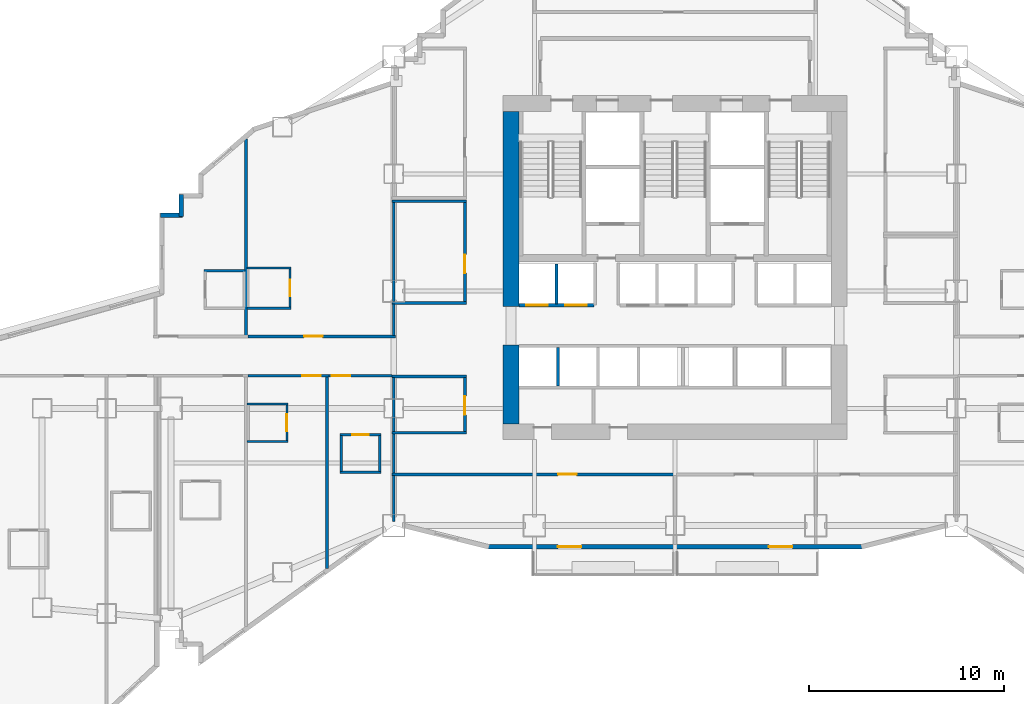
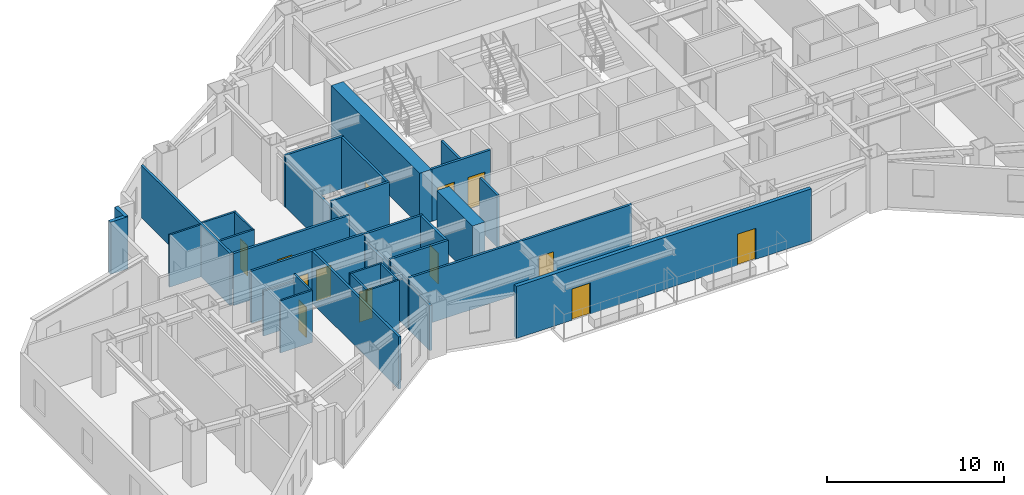
# One storey, part 8 of 16: 36 walls, 13 doors, 13 openings.
"""IFC4 building model written with IfcOpenShell, lengths in metres."""

from ifc_helpers import new_model, si_unit, direction, frame, frame_2d, origin, place, context, subcontext, project, spatial, rectangle, extrude, material, layer, layer_set, type_object, element, fill, save


model = new_model("IFC4")

# Units and contexts
model_context = context("Model", 3, precision=1e-05, world=origin(), true_north=direction((0.0, 1.0)))
body_context = subcontext(model_context, "Body", "Model", "MODEL_VIEW")
ifc_project = project(units=[si_unit("LENGTHUNIT", "METRE"), si_unit("AREAUNIT", "SQUARE_METRE"), si_unit("VOLUMEUNIT", "CUBIC_METRE"), si_unit("PLANEANGLEUNIT", "RADIAN"), si_unit("MASSUNIT", "GRAM", prefix="KILO")], contexts=[model_context])

# Site, building, storey
site_placement = place(None, origin())
site = spatial("IfcSite", under=ifc_project, at=site_placement, CompositionType="ELEMENT")
building_placement = place(site_placement, origin())
building = spatial("IfcBuilding", under=site, at=building_placement, Name="Haolan Belvedere Tower", CompositionType="ELEMENT")
storey_placement = place(building_placement, frame((0.0, 0.0, 62.800048828125)))
storey = spatial("IfcBuildingStorey", under=building, at=storey_placement, Name="L15", CompositionType="ELEMENT", Elevation=62.800048828125)

# Walls
ifc_material_1 = material(Name="Concrete C70/85", Category="concrete")
ifc_layer_1 = layer(ifc_material_1, 0.800048828125, Name="Concrete C70/85")
ifc_layer_set_1 = layer_set([ifc_layer_1], Name="Concrete C70/85")
wall_type_1 = type_object("IfcWallType", Name="WL-CORE-800", PredefinedType="SHEAR", material=ifc_layer_set_1)
wall_1_placement = place(storey_placement, frame((30.0, 26.800048828125, 0.0), z_axis=(0.0, 0.0, 1.0), x_axis=(0.0, 1.0, 0.0)))
element("IfcWall", 1, at=wall_1_placement, inside=storey, type_object=wall_type_1, Name="L15 central core shear wall WS", PredefinedType="SHEAR", context=body_context, shape_type="SweptSolid", body=[
    extrude(rectangle(XDim=4.050048828125, YDim=0.800048828125, at=frame_2d((2.02490234375, 0.0))), origin(), (0.0, 0.0, 1.0), 3.599853515625),
])
wall_2_placement = place(storey_placement, frame((30.0, 32.800048828125, 0.0), z_axis=(0.0, 0.0, 1.0), x_axis=(0.0, 1.0, 0.0)))
element("IfcWall", 2, at=wall_2_placement, inside=storey, type_object=wall_type_1, Name="L15 central core shear wall WN", PredefinedType="SHEAR", context=body_context, shape_type="SweptSolid", body=[
    extrude(rectangle(XDim=10.0, YDim=0.800048828125, at=frame_2d((5.0, 0.0))), origin(), (0.0, 0.0, 1.0), 3.599853515625),
])

# Wall, openings, doors
ifc_material_2 = material(Name="Precast concrete C40/50", Category="concrete")
ifc_layer_2 = layer(ifc_material_2, 0.239990234375, Name="Precast concrete C40/50")
ifc_layer_set_2 = layer_set([ifc_layer_2], Name="Precast concrete C40/50")
wall_type_2 = type_object("IfcWallType", Name="WL-EXT-240", PredefinedType="SOLIDWALL", material=ifc_layer_set_2)
wall_3_placement = place(storey_placement, frame((28.759765625, 20.52001953125, 0.0), z_axis=(0.0, 0.0, 1.0), x_axis=(1.0, 0.0, 0.0)))
wall_3 = element("IfcWall", 3, at=wall_3_placement, inside=storey, type_object=wall_type_2, Name="L15 pale-metal exterior spandrel wall 13.1", PredefinedType="SOLIDWALL", context=body_context, shape_type="SweptSolid", body=[
    extrude(rectangle(XDim=19.280517578125, YDim=0.239990234375, at=frame_2d((9.64013671875, 0.0))), origin(), (0.0, 0.0, 1.0), 3.599853515625),
])
opening_1_placement = place(wall_3_placement, frame((4.840087890625, 0.0, 0.0), z_axis=(0.0, 0.0, 1.0), x_axis=(-1.0, 0.0, 0.0)))
opening_1 = element("IfcOpeningElement", 4, at=opening_1_placement, cuts=wall_3, Name="Opening BD-01", PredefinedType="OPENING", context=body_context, shape_type="SweptSolid", body=[
    extrude(rectangle(XDim=1.199951171875, YDim=2.14990234375, at=frame_2d((0.60009765625, 1.074951171875))), frame((0.0, 0.1298828125, 0.0), z_axis=(0.0, -1.0, 0.0), x_axis=(1.0, 0.0, 0.0)), (0.0, 0.0, 1.0), 0.260009765625),
])
opening_2_placement = place(wall_3_placement, frame((15.64013671875, 0.0, 0.0), z_axis=(0.0, 0.0, 1.0), x_axis=(-1.0, 0.0, 0.0)))
opening_2 = element("IfcOpeningElement", 5, at=opening_2_placement, cuts=wall_3, Name="Opening BD-01", PredefinedType="OPENING", context=body_context, shape_type="SweptSolid", body=[
    extrude(rectangle(XDim=1.199951171875, YDim=2.14990234375, at=frame_2d((0.60009765625, 1.074951171875))), frame((0.0, 0.1298828125, 0.0), z_axis=(0.0, -1.0, 0.0), x_axis=(1.0, 0.0, 0.0)), (0.0, 0.0, 1.0), 0.260009765625),
])
ifc_material_3 = material(Name="Thermally broken pale-metal aluminium and Low-E glass", Category="aluminium")
door_type_1 = type_object("IfcDoorType", Name="DR-BAL-1200", OperationType="NOTDEFINED", PredefinedType="DOOR", material=ifc_material_3)
door_1_placement = place(opening_1_placement, origin())
door_1 = element("IfcDoor", 6, at=door_1_placement, inside=storey, type_object=door_type_1, Name="L15 tree-balcony access door 1", OperationType="SINGLE_SWING_LEFT", OverallHeight=2.14990234375, OverallWidth=1.199951171875, PredefinedType="DOOR", context=body_context, shape_type="SweptSolid", body=[
    extrude(rectangle(XDim=1.199951171875, YDim=2.14990234375, at=frame_2d((0.60009765625, 1.074951171875))), frame((0.0, 0.02490234375, 0.0), z_axis=(0.0, -1.0, 0.0), x_axis=(1.0, 0.0, 0.0)), (0.0, 0.0, 1.0), 0.050048828125),
])
fill(opening_1, door_1)
door_2_placement = place(opening_2_placement, origin())
door_2 = element("IfcDoor", 7, at=door_2_placement, inside=storey, type_object=door_type_1, Name="L15 tree-balcony access door 2", OperationType="SINGLE_SWING_RIGHT", OverallHeight=2.14990234375, OverallWidth=1.199951171875, PredefinedType="DOOR", context=body_context, shape_type="SweptSolid", body=[
    extrude(rectangle(XDim=1.199951171875, YDim=2.14990234375, at=frame_2d((0.60009765625, 1.074951171875))), frame((0.0, 0.02490234375, 0.0), z_axis=(0.0, -1.0, 0.0), x_axis=(1.0, 0.0, 0.0)), (0.0, 0.0, 1.0), 0.050048828125),
])
fill(opening_2, door_2)

# Walls
wall_4_placement = place(storey_placement, frame((13.1201171875, 38.534912109375, 0.0), z_axis=(0.0, 0.0, 1.0), x_axis=(0.0, -1.0, 0.0)))
element("IfcWall", 8, at=wall_4_placement, inside=storey, type_object=wall_type_2, Name="L15 pale-metal exterior spandrel wall 54.1", PredefinedType="SOLIDWALL", context=body_context, shape_type="SweptSolid", body=[
    extrude(rectangle(XDim=1.10986328125, YDim=0.239990234375, at=frame_2d((0.554931640625, 0.0))), origin(), (0.0, 0.0, 1.0), 3.599853515625),
])
wall_5_placement = place(storey_placement, frame((13.175048828125, 37.47998046875, 0.0), z_axis=(0.0, 0.0, 1.0), x_axis=(-1.0, 0.0, 0.0)))
element("IfcWall", 9, at=wall_5_placement, inside=storey, type_object=wall_type_2, Name="L15 pale-metal exterior spandrel wall 55.1", PredefinedType="SOLIDWALL", context=body_context, shape_type="SweptSolid", body=[
    extrude(rectangle(XDim=1.110107421875, YDim=0.239990234375, at=frame_2d((0.55517578125, 0.0))), origin(), (0.0, 0.0, 1.0), 3.599853515625),
])
ifc_material_4 = material(Name="Double gypsum acoustic stud partition", Category="masonry")
ifc_layer_3 = layer(ifc_material_4, 0.14990234375, Name="Double gypsum acoustic stud partition")
ifc_layer_set_3 = layer_set([ifc_layer_3], Name="Double gypsum acoustic stud partition")
wall_type_3 = type_object("IfcWallType", Name="WL-PART-150", PredefinedType="PARTITIONING", material=ifc_layer_set_3)
for number, where, z_axis, x_axis, name in (
    (10, (23.919921875, 38.199951171875, 0.0), (0.0, 0.0, 1.0), (1.0, 0.0, 0.0), "L15 interior partition IW-L15-HSK-N"),
    (11, (23.919921875, 33.0, 0.0), (0.0, 0.0, 1.0), (1.0, 0.0, 0.0), "L15 interior partition IW-L15-HSK-S"),
):
    element("IfcWall", number, at=place(storey_placement, frame(where, z_axis=z_axis, x_axis=x_axis)), inside=storey, type_object=wall_type_3, Name=name, PredefinedType="PARTITIONING", context=body_context, shape_type="SweptSolid", body=[
        extrude(rectangle(XDim=3.800048828125, YDim=0.14990234375, at=frame_2d((1.89990234375, 0.0))), origin(), (0.0, 0.0, 1.0), 3.599853515625),
    ])
wall_6_placement = place(storey_placement, frame((24.0, 33.06005859375, 0.0), z_axis=(0.0, 0.0, 1.0), x_axis=(0.0, 1.0, 0.0)))
element("IfcWall", 12, at=wall_6_placement, inside=storey, type_object=wall_type_3, Name="L15 interior partition IW-L15-HSK-W", PredefinedType="PARTITIONING", context=body_context, shape_type="SweptSolid", body=[
    extrude(rectangle(XDim=5.079833984375, YDim=0.14990234375, at=frame_2d((2.5400390625, 0.0))), origin(), (0.0, 0.0, 1.0), 3.096923828125),
])

# Wall, opening, door
wall_7_placement = place(storey_placement, frame((27.639892578125, 33.06005859375, 0.0), z_axis=(0.0, 0.0, 1.0), x_axis=(0.0, 1.0, 0.0)))
wall_7 = element("IfcWall", 13, at=wall_7_placement, inside=storey, type_object=wall_type_3, Name="L15 interior partition IW-L15-HSK-E", PredefinedType="PARTITIONING", context=body_context, shape_type="SweptSolid", body=[
    extrude(rectangle(XDim=5.079833984375, YDim=0.14990234375, at=frame_2d((2.5400390625, 0.0))), origin(), (0.0, 0.0, 1.0), 3.599853515625),
])
opening_3_placement = place(wall_7_placement, frame((2.409912109375, 0.0, 0.0), z_axis=(0.0, 0.0, 1.0), x_axis=(-1.0, 0.0, 0.0)))
opening_3 = element("IfcOpeningElement", 14, at=opening_3_placement, cuts=wall_7, Name="Opening ID-03", PredefinedType="OPENING", context=body_context, shape_type="SweptSolid", body=[
    extrude(rectangle(XDim=0.949951171875, YDim=2.1201171875, at=frame_2d((0.47509765625, 1.06005859375))), frame((0.0, 0.0849609375, 0.0), z_axis=(0.0, -1.0, 0.0), x_axis=(1.0, 0.0, 0.0)), (0.0, 0.0, 1.0), 0.169921875),
])
ifc_material_5 = material(Name="Painted solid-core timber", Category="wood")
door_type_2 = type_object("IfcDoorType", Name="DR-INT-950", OperationType="NOTDEFINED", PredefinedType="DOOR", material=ifc_material_5)
door_3_placement = place(opening_3_placement, origin())
door_3 = element("IfcDoor", 15, at=door_3_placement, inside=storey, type_object=door_type_2, Name="L15 door ID-L15-HSK", OperationType="SINGLE_SWING_LEFT", OverallHeight=2.1201171875, OverallWidth=0.949951171875, PredefinedType="DOOR", context=body_context, shape_type="SweptSolid", body=[
    extrude(rectangle(XDim=0.949951171875, YDim=2.1201171875, at=frame_2d((0.47509765625, 1.06005859375))), frame((0.0, 0.02490234375, 0.0), z_axis=(0.0, -1.0, 0.0), x_axis=(1.0, 0.0, 0.0)), (0.0, 0.0, 1.0), 0.050048828125),
])
fill(opening_3, door_3)

# Walls
for number, where, z_axis, x_axis, name in (
    (16, (23.919921875, 29.22998046875, 0.0), (0.0, 0.0, 1.0), (1.0, 0.0, 0.0), "L15 interior partition IW-L15-PKTW-N"),
    (17, (23.919921875, 26.35009765625, 0.0), (0.0, 0.0, 1.0), (1.0, 0.0, 0.0), "L15 interior partition IW-L15-PKTW-S"),
):
    element("IfcWall", number, at=place(storey_placement, frame(where, z_axis=z_axis, x_axis=x_axis)), inside=storey, type_object=wall_type_3, Name=name, PredefinedType="PARTITIONING", context=body_context, shape_type="SweptSolid", body=[
        extrude(rectangle(XDim=3.800048828125, YDim=0.14990234375, at=frame_2d((1.89990234375, 0.0))), origin(), (0.0, 0.0, 1.0), 3.599853515625),
    ])
wall_8_placement = place(storey_placement, frame((24.0, 26.409912109375, 0.0), z_axis=(0.0, 0.0, 1.0), x_axis=(0.0, 1.0, 0.0)))
element("IfcWall", 18, at=wall_8_placement, inside=storey, type_object=wall_type_3, Name="L15 interior partition IW-L15-PKTW-W", PredefinedType="PARTITIONING", context=body_context, shape_type="SweptSolid", body=[
    extrude(rectangle(XDim=2.760009765625, YDim=0.14990234375, at=frame_2d((1.3798828125, 0.0))), origin(), (0.0, 0.0, 1.0), 3.096923828125),
])

# Wall, opening, door
wall_9_placement = place(storey_placement, frame((27.639892578125, 26.409912109375, 0.0), z_axis=(0.0, 0.0, 1.0), x_axis=(0.0, 1.0, 0.0)))
wall_9 = element("IfcWall", 19, at=wall_9_placement, inside=storey, type_object=wall_type_3, Name="L15 interior partition IW-L15-PKTW-E", PredefinedType="PARTITIONING", context=body_context, shape_type="SweptSolid", body=[
    extrude(rectangle(XDim=2.760009765625, YDim=0.14990234375, at=frame_2d((1.3798828125, 0.0))), origin(), (0.0, 0.0, 1.0), 3.599853515625),
])
opening_4_placement = place(wall_9_placement, frame((1.81005859375, 0.0, 0.0), z_axis=(0.0, 0.0, 1.0), x_axis=(-1.0, 0.0, 0.0)))
opening_4 = element("IfcOpeningElement", 20, at=opening_4_placement, cuts=wall_9, Name="Opening ID-03", PredefinedType="OPENING", context=body_context, shape_type="SweptSolid", body=[
    extrude(rectangle(XDim=0.949951171875, YDim=2.1201171875, at=frame_2d((0.47509765625, 1.06005859375))), frame((0.0, 0.0849609375, 0.0), z_axis=(0.0, -1.0, 0.0), x_axis=(1.0, 0.0, 0.0)), (0.0, 0.0, 1.0), 0.169921875),
])
door_4_placement = place(opening_4_placement, origin())
door_4 = element("IfcDoor", 21, at=door_4_placement, inside=storey, type_object=door_type_2, Name="L15 door ID-L15-PKTW", OperationType="SINGLE_SWING_LEFT", OverallHeight=2.1201171875, OverallWidth=0.949951171875, PredefinedType="DOOR", context=body_context, shape_type="SweptSolid", body=[
    extrude(rectangle(XDim=0.949951171875, YDim=2.1201171875, at=frame_2d((0.47509765625, 1.06005859375))), frame((0.0, 0.02490234375, 0.0), z_axis=(0.0, -1.0, 0.0), x_axis=(1.0, 0.0, 0.0)), (0.0, 0.0, 1.0), 0.050048828125),
])
fill(opening_4, door_4)

wall_10_placement = place(storey_placement, frame((23.919921875, 24.219970703125, 0.0), z_axis=(0.0, 0.0, 1.0), x_axis=(1.0, 0.0, 0.0)))
wall_10 = element("IfcWall", 22, at=wall_10_placement, inside=storey, type_object=wall_type_3, Name="L15 interior partition IW-L15-KS1-N", PredefinedType="PARTITIONING", context=body_context, shape_type="SweptSolid", body=[
    extrude(rectangle(XDim=14.56005859375, YDim=0.14990234375, at=frame_2d((7.280029296875, 0.0))), origin(), (0.0, 0.0, 1.0), 3.599853515625),
])
opening_5_placement = place(wall_10_placement, frame((9.445068359375, 0.0, 0.0), z_axis=(0.0, 0.0, 1.0), x_axis=(-1.0, 0.0, 0.0)))
opening_5 = element("IfcOpeningElement", 23, at=opening_5_placement, cuts=wall_10, Name="Opening ID-03", PredefinedType="OPENING", context=body_context, shape_type="SweptSolid", body=[
    extrude(rectangle(XDim=0.949951171875, YDim=2.1201171875, at=frame_2d((0.47509765625, 1.06005859375))), frame((0.0, 0.0849609375, 0.0), z_axis=(0.0, -1.0, 0.0), x_axis=(1.0, 0.0, 0.0)), (0.0, 0.0, 1.0), 0.169921875),
])
door_5_placement = place(opening_5_placement, origin())
door_5 = element("IfcDoor", 24, at=door_5_placement, inside=storey, type_object=door_type_2, Name="L15 door ID-L15-KS1", OperationType="SINGLE_SWING_LEFT", OverallHeight=2.1201171875, OverallWidth=0.949951171875, PredefinedType="DOOR", context=body_context, shape_type="SweptSolid", body=[
    extrude(rectangle(XDim=0.949951171875, YDim=2.1201171875, at=frame_2d((0.47509765625, 1.06005859375))), frame((0.0, 0.02490234375, 0.0), z_axis=(0.0, -1.0, 0.0), x_axis=(1.0, 0.0, 0.0)), (0.0, 0.0, 1.0), 0.050048828125),
])
fill(opening_5, door_5)

# Walls
wall_11_placement = place(storey_placement, frame((24.0, 21.818603515625, 0.0), z_axis=(0.0, 0.0, 1.0), x_axis=(0.0, 1.0, 0.0)))
element("IfcWall", 25, at=wall_11_placement, inside=storey, type_object=wall_type_3, Name="L15 interior partition IW-L15-KS1-W", PredefinedType="PARTITIONING", context=body_context, shape_type="SweptSolid", body=[
    extrude(rectangle(XDim=2.34130859375, YDim=0.14990234375, at=frame_2d((1.170654296875, 0.0))), origin(), (0.0, 0.0, 1.0), 3.096923828125),
])
wall_12_placement = place(storey_placement, frame((16.43994140625, 31.340087890625, 0.0), z_axis=(0.0, 0.0, 1.0), x_axis=(0.0, 1.0, 0.0)))
element("IfcWall", 26, at=wall_12_placement, inside=storey, type_object=wall_type_3, Name="L15 interior partition IW-L15-T2N1-E", PredefinedType="PARTITIONING", context=body_context, shape_type="SweptSolid", body=[
    extrude(rectangle(XDim=10.054931640625, YDim=0.14990234375, at=frame_2d((5.02734375, 0.0))), origin(), (0.0, 0.0, 1.0), 3.599853515625),
])

# Wall, opening, door
wall_13_placement = place(storey_placement, frame((16.5419921875, 31.280029296875, 0.0), z_axis=(0.0, 0.0, 1.0), x_axis=(1.0, 0.0, 0.0)))
wall_13 = element("IfcWall", 27, at=wall_13_placement, inside=storey, type_object=wall_type_3, Name="L15 interior partition IW-L15-T2N2-S", PredefinedType="PARTITIONING", context=body_context, shape_type="SweptSolid", body=[
    extrude(rectangle(XDim=7.55810546875, YDim=0.14990234375, at=frame_2d((3.779052734375, 0.0))), origin(), (0.0, 0.0, 1.0), 3.599853515625),
])
opening_6_placement = place(wall_13_placement, frame((2.869384765625, 0.0, 0.0)))
opening_6 = element("IfcOpeningElement", 28, at=opening_6_placement, cuts=wall_13, Name="Opening ID-01", PredefinedType="OPENING", context=body_context, shape_type="SweptSolid", body=[
    extrude(rectangle(XDim=0.949951171875, YDim=2.179931640625, at=frame_2d((0.47509765625, 1.08984375))), frame((0.0, 0.0849609375, 0.0), z_axis=(0.0, -1.0, 0.0), x_axis=(1.0, 0.0, 0.0)), (0.0, 0.0, 1.0), 0.169921875),
])
ifc_material_6 = material(Name="Acoustic walnut veneer fire-rated timber", Category="wood")
door_type_3 = type_object("IfcDoorType", Name="DR-SUITE-950", OperationType="NOTDEFINED", PredefinedType="DOOR", material=ifc_material_6)
door_6_placement = place(opening_6_placement, origin())
door_6 = element("IfcDoor", 29, at=door_6_placement, inside=storey, type_object=door_type_3, Name="L15 door ID-L15-T2N2-ENT", OperationType="SINGLE_SWING_RIGHT", OverallHeight=2.179931640625, OverallWidth=0.949951171875, PredefinedType="DOOR", context=body_context, shape_type="SweptSolid", body=[
    extrude(rectangle(XDim=0.949951171875, YDim=2.179931640625, at=frame_2d((0.47509765625, 1.08984375))), frame((0.0, 0.02490234375, 0.0), z_axis=(0.0, -1.0, 0.0), x_axis=(1.0, 0.0, 0.0)), (0.0, 0.0, 1.0), 0.050048828125),
])
fill(opening_6, door_6)

# Wall
wall_14_placement = place(storey_placement, frame((24.0, 31.340087890625, 0.0), z_axis=(0.0, 0.0, 1.0), x_axis=(0.0, 1.0, 0.0)))
element("IfcWall", 30, at=wall_14_placement, inside=storey, type_object=wall_type_3, Name="L15 interior partition IW-L15-T2N2-E", PredefinedType="PARTITIONING", context=body_context, shape_type="SweptSolid", body=[
    extrude(rectangle(XDim=1.599853515625, YDim=0.14990234375, at=frame_2d((0.7998046875, 0.0))), origin(), (0.0, 0.0, 1.0), 3.096923828125),
])

# Wall, opening, door
wall_15_placement = place(storey_placement, frame((16.5419921875, 29.27001953125, 0.0), z_axis=(0.0, 0.0, 1.0), x_axis=(1.0, 0.0, 0.0)))
wall_15 = element("IfcWall", 31, at=wall_15_placement, inside=storey, type_object=wall_type_3, Name="L15 interior partition IW-L15-T2S2-N", PredefinedType="PARTITIONING", context=body_context, shape_type="SweptSolid", body=[
    extrude(rectangle(XDim=4.137939453125, YDim=0.14990234375, at=frame_2d((2.06884765625, 0.0))), origin(), (0.0, 0.0, 1.0), 3.599853515625),
])
opening_7_placement = place(wall_15_placement, frame((3.724853515625, 0.0, 0.0), z_axis=(0.0, 0.0, 1.0), x_axis=(-1.0, 0.0, 0.0)))
opening_7 = element("IfcOpeningElement", 32, at=opening_7_placement, cuts=wall_15, Name="Opening ID-02", PredefinedType="OPENING", context=body_context, shape_type="SweptSolid", body=[
    extrude(rectangle(XDim=0.949951171875, YDim=2.14990234375, at=frame_2d((0.47509765625, 1.074951171875))), frame((0.0, 0.0849609375, 0.0), z_axis=(0.0, -1.0, 0.0), x_axis=(1.0, 0.0, 0.0)), (0.0, 0.0, 1.0), 0.169921875),
])
ifc_material_7 = material(Name="Acoustic oak veneer fire-rated timber", Category="wood")
door_type_4 = type_object("IfcDoorType", Name="DR-GUEST-950", OperationType="NOTDEFINED", PredefinedType="DOOR", material=ifc_material_7)
door_7_placement = place(opening_7_placement, origin())
door_7 = element("IfcDoor", 33, at=door_7_placement, inside=storey, type_object=door_type_4, Name="L15 door ID-L15-T2S2-ENT", OperationType="SINGLE_SWING_RIGHT", OverallHeight=2.14990234375, OverallWidth=0.949951171875, PredefinedType="DOOR", context=body_context, shape_type="SweptSolid", body=[
    extrude(rectangle(XDim=0.949951171875, YDim=2.14990234375, at=frame_2d((0.47509765625, 1.074951171875))), frame((0.0, 0.02490234375, 0.0), z_axis=(0.0, -1.0, 0.0), x_axis=(1.0, 0.0, 0.0)), (0.0, 0.0, 1.0), 0.050048828125),
])
fill(opening_7, door_7)

# Wall
wall_16_placement = place(storey_placement, frame((20.580078125, 19.414794921875, 0.0), z_axis=(0.0, 0.0, 1.0), x_axis=(0.0, 1.0, 0.0)))
element("IfcWall", 34, at=wall_16_placement, inside=storey, type_object=wall_type_3, Name="L15 interior partition IW-L15-T2S2-E", PredefinedType="PARTITIONING", context=body_context, shape_type="SweptSolid", body=[
    extrude(rectangle(XDim=9.795166015625, YDim=0.14990234375, at=frame_2d((4.8974609375, 0.0))), origin(), (0.0, 0.0, 1.0), 3.599853515625),
])

# Wall, opening, door
wall_17_placement = place(storey_placement, frame((20.681884765625, 29.27001953125, 0.0), z_axis=(0.0, 0.0, 1.0), x_axis=(1.0, 0.0, 0.0)))
wall_17 = element("IfcWall", 35, at=wall_17_placement, inside=storey, type_object=wall_type_3, Name="L15 interior partition IW-L15-T2S3-N", PredefinedType="PARTITIONING", context=body_context, shape_type="SweptSolid", body=[
    extrude(rectangle(XDim=3.236083984375, YDim=0.14990234375, at=frame_2d((1.6181640625, 0.0))), origin(), (0.0, 0.0, 1.0), 3.599853515625),
])
opening_8_placement = place(wall_17_placement, frame((1.08984375, 0.0, 0.0), z_axis=(0.0, 0.0, 1.0), x_axis=(-1.0, 0.0, 0.0)))
opening_8 = element("IfcOpeningElement", 36, at=opening_8_placement, cuts=wall_17, Name="Opening ID-02", PredefinedType="OPENING", context=body_context, shape_type="SweptSolid", body=[
    extrude(rectangle(XDim=0.949951171875, YDim=2.14990234375, at=frame_2d((0.47509765625, 1.074951171875))), frame((0.0, 0.0849609375, 0.0), z_axis=(0.0, -1.0, 0.0), x_axis=(1.0, 0.0, 0.0)), (0.0, 0.0, 1.0), 0.169921875),
])
door_8_placement = place(opening_8_placement, origin())
door_8 = element("IfcDoor", 37, at=door_8_placement, inside=storey, type_object=door_type_4, Name="L15 door ID-L15-T2S3-ENT", OperationType="SINGLE_SWING_LEFT", OverallHeight=2.14990234375, OverallWidth=0.949951171875, PredefinedType="DOOR", context=body_context, shape_type="SweptSolid", body=[
    extrude(rectangle(XDim=0.949951171875, YDim=2.14990234375, at=frame_2d((0.47509765625, 1.074951171875))), frame((0.0, 0.02490234375, 0.0), z_axis=(0.0, -1.0, 0.0), x_axis=(1.0, 0.0, 0.0)), (0.0, 0.0, 1.0), 0.050048828125),
])
fill(opening_8, door_8)

# Wall
wall_18_placement = place(storey_placement, frame((24.0, 24.280029296875, 0.0), z_axis=(0.0, 0.0, 1.0), x_axis=(0.0, 1.0, 0.0)))
element("IfcWall", 38, at=wall_18_placement, inside=storey, type_object=wall_type_3, Name="L15 interior partition IW-L15-T2S3-E", PredefinedType="PARTITIONING", context=body_context, shape_type="SweptSolid", body=[
    extrude(rectangle(XDim=2.010009765625, YDim=0.14990234375, at=frame_2d((1.0048828125, 0.0))), origin(), (0.0, 0.0, 1.0), 3.096923828125),
])

# Wall, openings, doors
ifc_material_8 = material(Name="Gypsum fire shaftwall assembly", Category="masonry")
ifc_layer_4 = layer(ifc_material_8, 0.1650390625, Name="Gypsum fire shaftwall assembly")
ifc_layer_set_4 = layer_set([ifc_layer_4], Name="Gypsum fire shaftwall assembly")
wall_type_4 = type_object("IfcWallType", Name="WL-SHAFT-160", PredefinedType="SOLIDWALL", material=ifc_layer_set_4)
wall_19_placement = place(storey_placement, frame((30.39990234375, 32.8798828125, 0.0), z_axis=(0.0, 0.0, 1.0), x_axis=(1.0, 0.0, 0.0)))
wall_19 = element("IfcWall", 39, at=wall_19_placement, inside=storey, type_object=wall_type_4, Name="L15 interior partition IW-L15-ROW-PN1", PredefinedType="SOLIDWALL", context=body_context, shape_type="SweptSolid", body=[
    extrude(rectangle(XDim=3.85009765625, YDim=0.159912109375, at=frame_2d((1.925048828125, 0.0))), origin(), (0.0, 0.0, 1.0), 3.599853515625),
])
opening_9_placement = place(wall_19_placement, frame((1.47998046875, 0.0, 0.0), z_axis=(0.0, 0.0, 1.0), x_axis=(-1.0, 0.0, 0.0)))
opening_9 = element("IfcOpeningElement", 40, at=opening_9_placement, cuts=wall_19, Name="Opening LD-01", PredefinedType="OPENING", context=body_context, shape_type="SweptSolid", body=[
    extrude(rectangle(XDim=1.10009765625, YDim=2.199951171875, at=frame_2d((0.550048828125, 1.10009765625))), frame((0.0, 0.08984375, 0.0), z_axis=(0.0, -1.0, 0.0), x_axis=(1.0, 0.0, 0.0)), (0.0, 0.0, 1.0), 0.179931640625),
])
opening_10_placement = place(wall_19_placement, frame((3.47021484375, 0.0, 0.0), z_axis=(0.0, 0.0, 1.0), x_axis=(-1.0, 0.0, 0.0)))
opening_10 = element("IfcOpeningElement", 41, at=opening_10_placement, cuts=wall_19, Name="Opening LD-01", PredefinedType="OPENING", context=body_context, shape_type="SweptSolid", body=[
    extrude(rectangle(XDim=1.10009765625, YDim=2.199951171875, at=frame_2d((0.550048828125, 1.10009765625))), frame((0.0, 0.08984375, 0.0), z_axis=(0.0, -1.0, 0.0), x_axis=(1.0, 0.0, 0.0)), (0.0, 0.0, 1.0), 0.179931640625),
])
ifc_material_9 = material(Name="Brushed champagne stainless steel 316L", Category="steel")
door_type_5 = type_object("IfcDoorType", Name="DR-LIFT-1100", OperationType="SLIDING_TO_LEFT", PredefinedType="DOOR", material=ifc_material_9)
door_9_placement = place(opening_9_placement, origin())
door_9 = element("IfcDoor", 42, at=door_9_placement, inside=storey, type_object=door_type_5, Name="L15 door ID-L15-LD-PL1", OperationType="SLIDING_TO_LEFT", OverallHeight=2.199951171875, OverallWidth=1.10009765625, PredefinedType="DOOR", context=body_context, shape_type="SweptSolid", body=[
    extrude(rectangle(XDim=1.10009765625, YDim=2.199951171875, at=frame_2d((0.550048828125, 1.10009765625))), frame((0.0, 0.02490234375, 0.0), z_axis=(0.0, -1.0, 0.0), x_axis=(1.0, 0.0, 0.0)), (0.0, 0.0, 1.0), 0.050048828125),
])
fill(opening_9, door_9)
door_10_placement = place(opening_10_placement, origin())
door_10 = element("IfcDoor", 43, at=door_10_placement, inside=storey, type_object=door_type_5, Name="L15 door ID-L15-LD-PL2", OperationType="SLIDING_TO_LEFT", OverallHeight=2.199951171875, OverallWidth=1.10009765625, PredefinedType="DOOR", context=body_context, shape_type="SweptSolid", body=[
    extrude(rectangle(XDim=1.10009765625, YDim=2.199951171875, at=frame_2d((0.550048828125, 1.10009765625))), frame((0.0, 0.02490234375, 0.0), z_axis=(0.0, -1.0, 0.0), x_axis=(1.0, 0.0, 0.0)), (0.0, 0.0, 1.0), 0.050048828125),
])
fill(opening_10, door_10)

# Walls
wall_20_placement = place(storey_placement, frame((32.340087890625, 32.949951171875, 0.0), z_axis=(0.0, 0.0, 1.0), x_axis=(0.0, 1.0, 0.0)))
element("IfcWall", 44, at=wall_20_placement, inside=storey, type_object=wall_type_4, Name="L15 interior partition IW-L15-DIV-PL1", PredefinedType="SOLIDWALL", context=body_context, shape_type="SweptSolid", body=[
    extrude(rectangle(XDim=2.050048828125, YDim=0.14990234375, at=frame_2d((1.02490234375, 0.0))), origin(), (0.0, 0.0, 1.0), 3.599853515625),
])
wall_21_placement = place(storey_placement, frame((32.39990234375, 28.735107421875, 0.0), z_axis=(0.0, 0.0, 1.0), x_axis=(0.0, 1.0, 0.0)))
element("IfcWall", 45, at=wall_21_placement, inside=storey, type_object=wall_type_4, Name="L15 interior partition IW-L15-DIV-PM1", PredefinedType="SOLIDWALL", context=body_context, shape_type="SweptSolid", body=[
    extrude(rectangle(XDim=1.98486328125, YDim=0.14990234375, at=frame_2d((0.992431640625, 0.0))), origin(), (0.0, 0.0, 1.0), 3.599853515625),
])
ifc_material_10 = material(Name="Moisture-resistant gypsum tile partition", Category="masonry")
ifc_layer_5 = layer(ifc_material_10, 0.1201171875, Name="Moisture-resistant gypsum tile partition")
ifc_layer_set_5 = layer_set([ifc_layer_5], Name="Moisture-resistant gypsum tile partition")
wall_type_5 = type_object("IfcWallType", Name="WL-WET-120", PredefinedType="PARTITIONING", material=ifc_layer_set_5)
wall_22_placement = place(storey_placement, frame((14.300048828125, 34.64990234375, 0.0), z_axis=(0.0, 0.0, 1.0), x_axis=(1.0, 0.0, 0.0)))
element("IfcWall", 46, at=wall_22_placement, inside=storey, type_object=wall_type_5, Name="L15 interior partition IW-L15-T2N1-BN", PredefinedType="PARTITIONING", context=body_context, shape_type="SweptSolid", body=[
    extrude(rectangle(XDim=2.079833984375, YDim=0.1201171875, at=frame_2d((1.0400390625, 0.0))), origin(), (0.0, 0.0, 1.0), 3.599853515625),
])
for number, where, z_axis, x_axis, name in (
    (47, (16.5, 34.780029296875, 0.0), (0.0, 0.0, 1.0), (1.0, 0.0, 0.0), "L15 interior partition IW-L15-T2N2-BN"),
    (48, (16.5, 32.72998046875, 0.0), (0.0, 0.0, 1.0), (1.0, 0.0, 0.0), "L15 interior partition IW-L15-T2N2-BS"),
):
    element("IfcWall", number, at=place(storey_placement, frame(where, z_axis=z_axis, x_axis=x_axis)), inside=storey, type_object=wall_type_5, Name=name, PredefinedType="PARTITIONING", context=body_context, shape_type="SweptSolid", body=[
        extrude(rectangle(XDim=2.25, YDim=0.1201171875, at=frame_2d((1.125, 0.0))), origin(), (0.0, 0.0, 1.0), 3.599853515625),
    ])

# Wall, opening, door
wall_23_placement = place(storey_placement, frame((18.68994140625, 32.77490234375, 0.0), z_axis=(0.0, 0.0, 1.0), x_axis=(0.0, 1.0, 0.0)))
wall_23 = element("IfcWall", 49, at=wall_23_placement, inside=storey, type_object=wall_type_5, Name="L15 interior partition IW-L15-T2N2-BE", PredefinedType="PARTITIONING", context=body_context, shape_type="SweptSolid", body=[
    extrude(rectangle(XDim=1.960205078125, YDim=0.1201171875, at=frame_2d((0.97998046875, 0.0))), origin(), (0.0, 0.0, 1.0), 3.599853515625),
])
opening_11_placement = place(wall_23_placement, frame((0.554931640625, 0.0, 0.0)))
opening_11 = element("IfcOpeningElement", 50, at=opening_11_placement, cuts=wall_23, Name="Opening ID-05", PredefinedType="OPENING", context=body_context, shape_type="SweptSolid", body=[
    extrude(rectangle(XDim=0.85009765625, YDim=2.10009765625, at=frame_2d((0.425048828125, 1.050048828125))), frame((0.0, 0.070068359375, 0.0), z_axis=(0.0, -1.0, 0.0), x_axis=(1.0, 0.0, 0.0)), (0.0, 0.0, 1.0), 0.14013671875),
])
ifc_material_11 = material(Name="Moisture-resistant lacquered timber", Category="wood")
door_type_6 = type_object("IfcDoorType", Name="DR-BATH-850", OperationType="NOTDEFINED", PredefinedType="DOOR", material=ifc_material_11)
door_11_placement = place(opening_11_placement, origin())
door_11 = element("IfcDoor", 51, at=door_11_placement, inside=storey, type_object=door_type_6, Name="L15 door ID-L15-T2N2-BATH", OperationType="SINGLE_SWING_LEFT", OverallHeight=2.10009765625, OverallWidth=0.85009765625, PredefinedType="DOOR", context=body_context, shape_type="SweptSolid", body=[
    extrude(rectangle(XDim=0.85009765625, YDim=2.10009765625, at=frame_2d((0.425048828125, 1.050048828125))), frame((0.0, 0.02490234375, 0.0), z_axis=(0.0, -1.0, 0.0), x_axis=(1.0, 0.0, 0.0)), (0.0, 0.0, 1.0), 0.050048828125),
])
fill(opening_11, door_11)

# Walls
wall_24_placement = place(storey_placement, frame((16.5, 27.820068359375, 0.0), z_axis=(0.0, 0.0, 1.0), x_axis=(1.0, 0.0, 0.0)))
element("IfcWall", 52, at=wall_24_placement, inside=storey, type_object=wall_type_5, Name="L15 interior partition IW-L15-T2S2-BN", PredefinedType="PARTITIONING", context=body_context, shape_type="SweptSolid", body=[
    extrude(rectangle(XDim=2.094970703125, YDim=0.1201171875, at=frame_2d((1.04736328125, 0.0))), origin(), (0.0, 0.0, 1.0), 3.096923828125),
])
wall_25_placement = place(storey_placement, frame((16.5, 25.89990234375, 0.0), z_axis=(0.0, 0.0, 1.0), x_axis=(1.0, 0.0, 0.0)))
element("IfcWall", 53, at=wall_25_placement, inside=storey, type_object=wall_type_5, Name="L15 interior partition IW-L15-T2S2-BS", PredefinedType="PARTITIONING", context=body_context, shape_type="SweptSolid", body=[
    extrude(rectangle(XDim=2.094970703125, YDim=0.1201171875, at=frame_2d((1.04736328125, 0.0))), origin(), (0.0, 0.0, 1.0), 3.599853515625),
])

# Wall, opening, door
wall_26_placement = place(storey_placement, frame((18.534912109375, 25.945068359375, 0.0), z_axis=(0.0, 0.0, 1.0), x_axis=(0.0, 1.0, 0.0)))
wall_26 = element("IfcWall", 54, at=wall_26_placement, inside=storey, type_object=wall_type_5, Name="L15 interior partition IW-L15-T2S2-BE", PredefinedType="PARTITIONING", context=body_context, shape_type="SweptSolid", body=[
    extrude(rectangle(XDim=1.829833984375, YDim=0.1201171875, at=frame_2d((0.9150390625, 0.0))), origin(), (0.0, 0.0, 1.0), 3.599853515625),
])
opening_12_placement = place(wall_26_placement, frame((0.489990234375, 0.0, 0.0)))
opening_12 = element("IfcOpeningElement", 55, at=opening_12_placement, cuts=wall_26, Name="Opening ID-05", PredefinedType="OPENING", context=body_context, shape_type="SweptSolid", body=[
    extrude(rectangle(XDim=0.85009765625, YDim=2.10009765625, at=frame_2d((0.425048828125, 1.050048828125))), frame((0.0, 0.070068359375, 0.0), z_axis=(0.0, -1.0, 0.0), x_axis=(1.0, 0.0, 0.0)), (0.0, 0.0, 1.0), 0.14013671875),
])
door_12_placement = place(opening_12_placement, origin())
door_12 = element("IfcDoor", 56, at=door_12_placement, inside=storey, type_object=door_type_6, Name="L15 door ID-L15-T2S2-BATH", OperationType="SINGLE_SWING_LEFT", OverallHeight=2.10009765625, OverallWidth=0.85009765625, PredefinedType="DOOR", context=body_context, shape_type="SweptSolid", body=[
    extrude(rectangle(XDim=0.85009765625, YDim=2.10009765625, at=frame_2d((0.425048828125, 1.050048828125))), frame((0.0, 0.02490234375, 0.0), z_axis=(0.0, -1.0, 0.0), x_axis=(1.0, 0.0, 0.0)), (0.0, 0.0, 1.0), 0.050048828125),
])
fill(opening_12, door_12)

wall_27_placement = place(storey_placement, frame((21.248046875, 26.2451171875, 0.0), z_axis=(0.0, 0.0, 1.0), x_axis=(1.0, 0.0, 0.0)))
wall_27 = element("IfcWall", 57, at=wall_27_placement, inside=storey, type_object=wall_type_5, Name="L15 interior partition IW-L15-T2S3-BN", PredefinedType="PARTITIONING", context=body_context, shape_type="SweptSolid", body=[
    extrude(rectangle(XDim=2.099853515625, YDim=0.1201171875, at=frame_2d((1.0498046875, 0.0))), origin(), (0.0, 0.0, 1.0), 3.599853515625),
])
opening_13_placement = place(wall_27_placement, frame((1.47509765625, 0.0, 0.0), z_axis=(0.0, 0.0, 1.0), x_axis=(-1.0, 0.0, 0.0)))
opening_13 = element("IfcOpeningElement", 58, at=opening_13_placement, cuts=wall_27, Name="Opening ID-05", PredefinedType="OPENING", context=body_context, shape_type="SweptSolid", body=[
    extrude(rectangle(XDim=0.85009765625, YDim=2.10009765625, at=frame_2d((0.425048828125, 1.050048828125))), frame((0.0, 0.070068359375, 0.0), z_axis=(0.0, -1.0, 0.0), x_axis=(1.0, 0.0, 0.0)), (0.0, 0.0, 1.0), 0.14013671875),
])
door_13_placement = place(opening_13_placement, origin())
door_13 = element("IfcDoor", 59, at=door_13_placement, inside=storey, type_object=door_type_6, Name="L15 door ID-L15-T2S3-BATH", OperationType="SINGLE_SWING_RIGHT", OverallHeight=2.10009765625, OverallWidth=0.85009765625, PredefinedType="DOOR", context=body_context, shape_type="SweptSolid", body=[
    extrude(rectangle(XDim=0.85009765625, YDim=2.10009765625, at=frame_2d((0.425048828125, 1.050048828125))), frame((0.0, 0.02490234375, 0.0), z_axis=(0.0, -1.0, 0.0), x_axis=(1.0, 0.0, 0.0)), (0.0, 0.0, 1.0), 0.050048828125),
])
fill(opening_13, door_13)

# Walls
wall_28_placement = place(storey_placement, frame((21.248046875, 24.324951171875, 0.0), z_axis=(0.0, 0.0, 1.0), x_axis=(1.0, 0.0, 0.0)))
element("IfcWall", 60, at=wall_28_placement, inside=storey, type_object=wall_type_5, Name="L15 interior partition IW-L15-T2S3-BS", PredefinedType="PARTITIONING", context=body_context, shape_type="SweptSolid", body=[
    extrude(rectangle(XDim=2.099853515625, YDim=0.1201171875, at=frame_2d((1.0498046875, 0.0))), origin(), (0.0, 0.0, 1.0), 3.599853515625),
])
for number, where, z_axis, x_axis, name in (
    (61, (21.30810546875, 24.3701171875, 0.0), (0.0, 0.0, 1.0), (0.0, 1.0, 0.0), "L15 interior partition IW-L15-T2S3-BW"),
    (62, (23.2880859375, 24.3701171875, 0.0), (0.0, 0.0, 1.0), (0.0, 1.0, 0.0), "L15 interior partition IW-L15-T2S3-BE"),
):
    element("IfcWall", number, at=place(storey_placement, frame(where, z_axis=z_axis, x_axis=x_axis)), inside=storey, type_object=wall_type_5, Name=name, PredefinedType="PARTITIONING", context=body_context, shape_type="SweptSolid", body=[
        extrude(rectangle(XDim=1.829833984375, YDim=0.1201171875, at=frame_2d((0.9150390625, 0.0))), origin(), (0.0, 0.0, 1.0), 3.599853515625),
    ])

save(model, "model.ifc")
